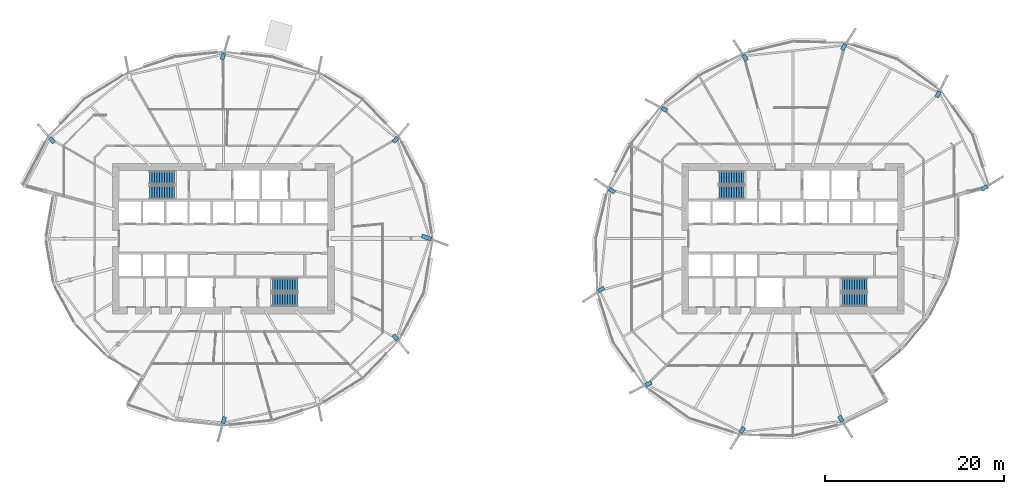
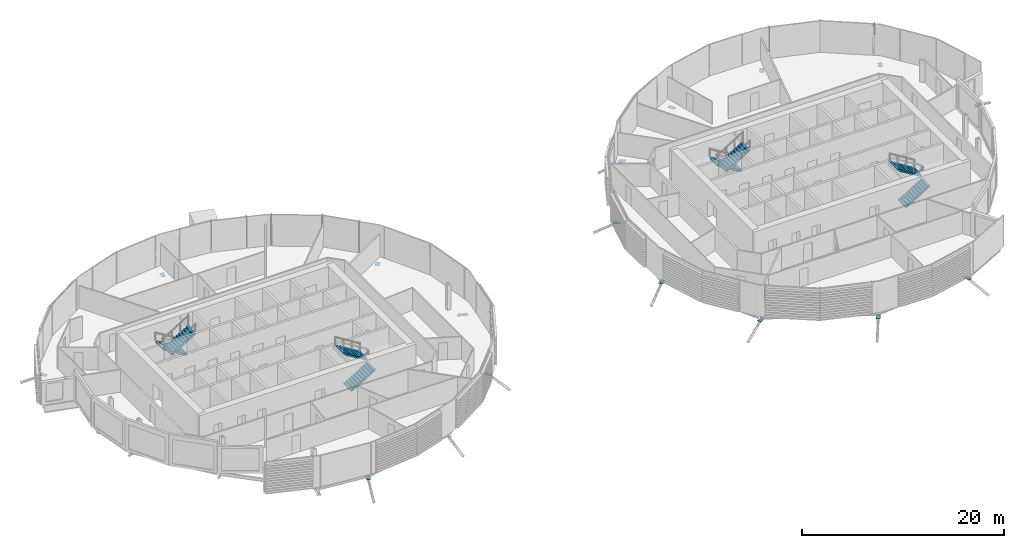
# One storey, part 27 of 38: 16 discrete accessories, 8 stair flights, 4 elements without a shape of their own.
"""IFC4 building model written with IfcOpenShell, lengths in metres."""

from ifc_helpers import new_model, si_unit, direction, frame, origin, origin_2d, place, context, subcontext, project, spatial, polyline, rectangle, outline, extrude, material, material_profile, profile_set, type_object, element, aggregate, save


model = new_model("IFC4")

# Units and contexts
model_context = context("Model", 3, precision=1e-05, world=origin(), true_north=direction((0.0, 1.0)))
body_context = subcontext(model_context, "Body", "Model", "MODEL_VIEW")
ifc_project = project(units=[si_unit("LENGTHUNIT", "METRE"), si_unit("AREAUNIT", "SQUARE_METRE"), si_unit("VOLUMEUNIT", "CUBIC_METRE"), si_unit("PLANEANGLEUNIT", "RADIAN"), si_unit("MASSUNIT", "GRAM", prefix="KILO")], contexts=[model_context])

# Site, building, storey
site_placement = place(None, origin())
site = spatial("IfcSite", under=ifc_project, at=site_placement, CompositionType="ELEMENT")
building_placement = place(site_placement, origin())
building = spatial("IfcBuilding", under=site, at=building_placement, Name="Rimbun Link Towers", CompositionType="ELEMENT")
storey_placement = place(building_placement, frame((0.0, 0.0, 108.199951171875)))
storey = spatial("IfcBuildingStorey", under=building, at=storey_placement, Name="L26", CompositionType="ELEMENT", Elevation=108.199951171875)

# Stair, stair flights
ifc_material_1 = material(Name="Concrete C40/50", Category="concrete")
stair_type = type_object("IfcStairType", Name="Exit stair 3800 rise", PredefinedType="HALF_TURN_STAIR", material=ifc_material_1)
stair_1_placement = place(storey_placement, origin())
stair_1 = element("IfcStair", 1, at=stair_1_placement, inside=storey, type_object=stair_type, Name="L26 EXIT STAIR A", PredefinedType="HALF_TURN_STAIR")
ifc_material_2 = material(Name="Concrete C40/50", Category="concrete")
stair_flight_type = type_object("IfcStairFlightType", Name="Exit stair flight 3800 rise", PredefinedType="STRAIGHT", material=ifc_material_2)
stair_flight_1_placement = place(storey_placement, frame((-37.199951171875, 6.800048828125, 0.0), z_axis=(0.0, 0.0, 1.0), x_axis=(-1.0, 0.0, 0.0)))
stair_flight_1 = element("IfcStairFlight", 2, at=stair_flight_1_placement, type_object=stair_flight_type, Name="ST1 flight 1", NumberOfRisers=11, NumberOfTreads=10, PredefinedType="STRAIGHT", RiserHeight=0.172727273, TreadLength=0.28, context=body_context, shape_type="SweptSolid", body=[
    extrude(outline(polyline([(0.0, 0.0), (0.0, 0.172607421875), (0.280029296875, 0.172607421875), (0.280029296875, 0.345458984375), (0.56005859375, 0.345458984375), (0.56005859375, 0.51806640625), (0.840087890625, 0.51806640625), (0.840087890625, 0.69091796875), (1.1201171875, 0.69091796875), (1.1201171875, 0.863525390625), (1.39990234375, 0.863525390625), (1.39990234375, 1.036376953125), (1.679931640625, 1.036376953125), (1.679931640625, 1.208984375), (1.9599609375, 1.208984375), (1.9599609375, 1.3818359375), (2.239990234375, 1.3818359375), (2.239990234375, 1.554443359375), (2.52001953125, 1.554443359375), (2.52001953125, 1.727294921875), (2.800048828125, 1.727294921875), (2.800048828125, 1.89990234375), (2.800048828125, 1.551025390625), (0.280029296875, 0.0), (0.0, 0.0)])), frame((0.0, 0.75, 0.0), z_axis=(0.0, -1.0, 0.0), x_axis=(1.0, 0.0, 0.0)), (0.0, 0.0, 1.0), 1.5),
])
stair_flight_2_placement = place(storey_placement, frame((-40.0, 5.14990234375, 1.900146484375), z_axis=(0.0, 0.0, 1.0), x_axis=(1.0, 0.0, 0.0)))
stair_flight_2 = element("IfcStairFlight", 3, at=stair_flight_2_placement, type_object=stair_flight_type, Name="ST1 flight 2", NumberOfRisers=11, NumberOfTreads=10, PredefinedType="STRAIGHT", RiserHeight=0.172727273, TreadLength=0.28, context=body_context, shape_type="SweptSolid", body=[
    extrude(outline(polyline([(0.0, 0.0), (0.0, 0.172607421875), (0.280029296875, 0.172607421875), (0.280029296875, 0.345458984375), (0.56005859375, 0.345458984375), (0.56005859375, 0.51806640625), (0.840087890625, 0.51806640625), (0.840087890625, 0.69091796875), (1.1201171875, 0.69091796875), (1.1201171875, 0.863525390625), (1.39990234375, 0.863525390625), (1.39990234375, 1.036376953125), (1.679931640625, 1.036376953125), (1.679931640625, 1.208984375), (1.9599609375, 1.208984375), (1.9599609375, 1.3818359375), (2.239990234375, 1.3818359375), (2.239990234375, 1.554443359375), (2.52001953125, 1.554443359375), (2.52001953125, 1.727294921875), (2.800048828125, 1.727294921875), (2.800048828125, 1.89990234375), (2.800048828125, 1.551025390625), (0.280029296875, 0.0), (0.0, 0.0)])), frame((0.0, 0.75, 0.0), z_axis=(0.0, -1.0, 0.0), x_axis=(1.0, 0.0, 0.0)), (0.0, 0.0, 1.0), 1.5),
])
aggregate(stair_1, [stair_flight_1, stair_flight_2])

stair_2_placement = place(storey_placement, origin())
stair_2 = element("IfcStair", 4, at=stair_2_placement, inside=storey, type_object=stair_type, Name="L26 EXIT STAIR B", PredefinedType="HALF_TURN_STAIR")
stair_flight_3_placement = place(storey_placement, frame((-26.300048828125, -6.800048828125, 0.0), z_axis=(0.0, 0.0, 1.0), x_axis=(1.0, 0.0, 0.0)))
stair_flight_3 = element("IfcStairFlight", 5, at=stair_flight_3_placement, type_object=stair_flight_type, Name="ST2 flight 1", NumberOfRisers=11, NumberOfTreads=10, PredefinedType="STRAIGHT", RiserHeight=0.172727273, TreadLength=0.28, context=body_context, shape_type="SweptSolid", body=[
    extrude(outline(polyline([(0.0, 0.0), (0.0, 0.172607421875), (0.280029296875, 0.172607421875), (0.280029296875, 0.345458984375), (0.56005859375, 0.345458984375), (0.56005859375, 0.51806640625), (0.840087890625, 0.51806640625), (0.840087890625, 0.69091796875), (1.1201171875, 0.69091796875), (1.1201171875, 0.863525390625), (1.39990234375, 0.863525390625), (1.39990234375, 1.036376953125), (1.679931640625, 1.036376953125), (1.679931640625, 1.208984375), (1.9599609375, 1.208984375), (1.9599609375, 1.3818359375), (2.239990234375, 1.3818359375), (2.239990234375, 1.554443359375), (2.52001953125, 1.554443359375), (2.52001953125, 1.727294921875), (2.800048828125, 1.727294921875), (2.800048828125, 1.89990234375), (2.800048828125, 1.551025390625), (0.280029296875, 0.0), (0.0, 0.0)])), frame((0.0, 0.75, 0.0), z_axis=(0.0, -1.0, 0.0), x_axis=(1.0, 0.0, 0.0)), (0.0, 0.0, 1.0), 1.5),
])
stair_flight_4_placement = place(storey_placement, frame((-23.5, -5.14990234375, 1.900146484375), z_axis=(0.0, 0.0, 1.0), x_axis=(-1.0, 0.0, 0.0)))
stair_flight_4 = element("IfcStairFlight", 6, at=stair_flight_4_placement, type_object=stair_flight_type, Name="ST2 flight 2", NumberOfRisers=11, NumberOfTreads=10, PredefinedType="STRAIGHT", RiserHeight=0.172727273, TreadLength=0.28, context=body_context, shape_type="SweptSolid", body=[
    extrude(outline(polyline([(0.0, 0.0), (0.0, 0.172607421875), (0.280029296875, 0.172607421875), (0.280029296875, 0.345458984375), (0.56005859375, 0.345458984375), (0.56005859375, 0.51806640625), (0.840087890625, 0.51806640625), (0.840087890625, 0.69091796875), (1.1201171875, 0.69091796875), (1.1201171875, 0.863525390625), (1.39990234375, 0.863525390625), (1.39990234375, 1.036376953125), (1.679931640625, 1.036376953125), (1.679931640625, 1.208984375), (1.9599609375, 1.208984375), (1.9599609375, 1.3818359375), (2.239990234375, 1.3818359375), (2.239990234375, 1.554443359375), (2.52001953125, 1.554443359375), (2.52001953125, 1.727294921875), (2.800048828125, 1.727294921875), (2.800048828125, 1.89990234375), (2.800048828125, 1.551025390625), (0.280029296875, 0.0), (0.0, 0.0)])), frame((0.0, 0.75, 0.0), z_axis=(0.0, -1.0, 0.0), x_axis=(1.0, 0.0, 0.0)), (0.0, 0.0, 1.0), 1.5),
])
aggregate(stair_2, [stair_flight_3, stair_flight_4])

stair_3_placement = place(storey_placement, origin())
stair_3 = element("IfcStair", 7, at=stair_3_placement, inside=storey, type_object=stair_type, Name="L26 EXIT STAIR A", PredefinedType="HALF_TURN_STAIR")
stair_flight_5_placement = place(storey_placement, frame((26.300048828125, 6.800048828125, 0.0), z_axis=(0.0, 0.0, 1.0), x_axis=(-1.0, 0.0, 0.0)))
stair_flight_5 = element("IfcStairFlight", 8, at=stair_flight_5_placement, type_object=stair_flight_type, Name="ST3 flight 1", NumberOfRisers=11, NumberOfTreads=10, PredefinedType="STRAIGHT", RiserHeight=0.172727273, TreadLength=0.28, context=body_context, shape_type="SweptSolid", body=[
    extrude(outline(polyline([(0.0, 0.0), (0.0, 0.172607421875), (0.280029296875, 0.172607421875), (0.280029296875, 0.345458984375), (0.56005859375, 0.345458984375), (0.56005859375, 0.51806640625), (0.840087890625, 0.51806640625), (0.840087890625, 0.69091796875), (1.1201171875, 0.69091796875), (1.1201171875, 0.863525390625), (1.39990234375, 0.863525390625), (1.39990234375, 1.036376953125), (1.679931640625, 1.036376953125), (1.679931640625, 1.208984375), (1.9599609375, 1.208984375), (1.9599609375, 1.3818359375), (2.239990234375, 1.3818359375), (2.239990234375, 1.554443359375), (2.52001953125, 1.554443359375), (2.52001953125, 1.727294921875), (2.800048828125, 1.727294921875), (2.800048828125, 1.89990234375), (2.800048828125, 1.551025390625), (0.280029296875, 0.0), (0.0, 0.0)])), frame((0.0, 0.75, 0.0), z_axis=(0.0, -1.0, 0.0), x_axis=(1.0, 0.0, 0.0)), (0.0, 0.0, 1.0), 1.5),
])
stair_flight_6_placement = place(storey_placement, frame((23.5, 5.14990234375, 1.900146484375), z_axis=(0.0, 0.0, 1.0), x_axis=(1.0, 0.0, 0.0)))
stair_flight_6 = element("IfcStairFlight", 9, at=stair_flight_6_placement, type_object=stair_flight_type, Name="ST3 flight 2", NumberOfRisers=11, NumberOfTreads=10, PredefinedType="STRAIGHT", RiserHeight=0.172727273, TreadLength=0.28, context=body_context, shape_type="SweptSolid", body=[
    extrude(outline(polyline([(0.0, 0.0), (0.0, 0.172607421875), (0.280029296875, 0.172607421875), (0.280029296875, 0.345458984375), (0.56005859375, 0.345458984375), (0.56005859375, 0.51806640625), (0.840087890625, 0.51806640625), (0.840087890625, 0.69091796875), (1.1201171875, 0.69091796875), (1.1201171875, 0.863525390625), (1.39990234375, 0.863525390625), (1.39990234375, 1.036376953125), (1.679931640625, 1.036376953125), (1.679931640625, 1.208984375), (1.9599609375, 1.208984375), (1.9599609375, 1.3818359375), (2.239990234375, 1.3818359375), (2.239990234375, 1.554443359375), (2.52001953125, 1.554443359375), (2.52001953125, 1.727294921875), (2.800048828125, 1.727294921875), (2.800048828125, 1.89990234375), (2.800048828125, 1.551025390625), (0.280029296875, 0.0), (0.0, 0.0)])), frame((0.0, 0.75, 0.0), z_axis=(0.0, -1.0, 0.0), x_axis=(1.0, 0.0, 0.0)), (0.0, 0.0, 1.0), 1.5),
])
aggregate(stair_3, [stair_flight_5, stair_flight_6])

stair_4_placement = place(storey_placement, origin())
stair_4 = element("IfcStair", 10, at=stair_4_placement, inside=storey, type_object=stair_type, Name="L26 EXIT STAIR B", PredefinedType="HALF_TURN_STAIR")
stair_flight_7_placement = place(storey_placement, frame((37.199951171875, -6.800048828125, 0.0), z_axis=(0.0, 0.0, 1.0), x_axis=(1.0, 0.0, 0.0)))
stair_flight_7 = element("IfcStairFlight", 11, at=stair_flight_7_placement, type_object=stair_flight_type, Name="ST4 flight 1", NumberOfRisers=11, NumberOfTreads=10, PredefinedType="STRAIGHT", RiserHeight=0.172727273, TreadLength=0.28, context=body_context, shape_type="SweptSolid", body=[
    extrude(outline(polyline([(0.0, 0.0), (0.0, 0.172607421875), (0.280029296875, 0.172607421875), (0.280029296875, 0.345458984375), (0.56005859375, 0.345458984375), (0.56005859375, 0.51806640625), (0.840087890625, 0.51806640625), (0.840087890625, 0.69091796875), (1.1201171875, 0.69091796875), (1.1201171875, 0.863525390625), (1.39990234375, 0.863525390625), (1.39990234375, 1.036376953125), (1.679931640625, 1.036376953125), (1.679931640625, 1.208984375), (1.9599609375, 1.208984375), (1.9599609375, 1.3818359375), (2.239990234375, 1.3818359375), (2.239990234375, 1.554443359375), (2.52001953125, 1.554443359375), (2.52001953125, 1.727294921875), (2.800048828125, 1.727294921875), (2.800048828125, 1.89990234375), (2.800048828125, 1.551025390625), (0.280029296875, 0.0), (0.0, 0.0)])), frame((0.0, 0.75, 0.0), z_axis=(0.0, -1.0, 0.0), x_axis=(1.0, 0.0, 0.0)), (0.0, 0.0, 1.0), 1.5),
])
stair_flight_8_placement = place(storey_placement, frame((40.0, -5.14990234375, 1.900146484375), z_axis=(0.0, 0.0, 1.0), x_axis=(-1.0, 0.0, 0.0)))
stair_flight_8 = element("IfcStairFlight", 12, at=stair_flight_8_placement, type_object=stair_flight_type, Name="ST4 flight 2", NumberOfRisers=11, NumberOfTreads=10, PredefinedType="STRAIGHT", RiserHeight=0.172727273, TreadLength=0.28, context=body_context, shape_type="SweptSolid", body=[
    extrude(outline(polyline([(0.0, 0.0), (0.0, 0.172607421875), (0.280029296875, 0.172607421875), (0.280029296875, 0.345458984375), (0.56005859375, 0.345458984375), (0.56005859375, 0.51806640625), (0.840087890625, 0.51806640625), (0.840087890625, 0.69091796875), (1.1201171875, 0.69091796875), (1.1201171875, 0.863525390625), (1.39990234375, 0.863525390625), (1.39990234375, 1.036376953125), (1.679931640625, 1.036376953125), (1.679931640625, 1.208984375), (1.9599609375, 1.208984375), (1.9599609375, 1.3818359375), (2.239990234375, 1.3818359375), (2.239990234375, 1.554443359375), (2.52001953125, 1.554443359375), (2.52001953125, 1.727294921875), (2.800048828125, 1.727294921875), (2.800048828125, 1.89990234375), (2.800048828125, 1.551025390625), (0.280029296875, 0.0), (0.0, 0.0)])), frame((0.0, 0.75, 0.0), z_axis=(0.0, -1.0, 0.0), x_axis=(1.0, 0.0, 0.0)), (0.0, 0.0, 1.0), 1.5),
])
aggregate(stair_4, [stair_flight_7, stair_flight_8])

# Discrete accessories
ifc_material_3 = material(Name="Steel S355J2H", Category="steel")
ifc_material_profile = material_profile(ifc_material_3, rectangle(XDim=0.43310546875, YDim=0.43310546875, at=origin_2d()), Name="PL 433x433")
ifc_profile_set = profile_set([ifc_material_profile], Name="Steel S355J2H")
discrete_accessory_type = type_object("IfcDiscreteAccessoryType", Name="Link head end plate 433X20", PredefinedType="BRACKET", material=ifc_profile_set)
discrete_accessory_1_placement = place(storey_placement, frame((0.0, 0.0, -1.3798828125)))
element("IfcDiscreteAccessory", 13, at=discrete_accessory_1_placement, inside=storey, type_object=discrete_accessory_type, Name="Link head end plate T1 L26 00", PredefinedType="BRACKET", context=body_context, shape_type="SweptSolid", body=[
    extrude(outline(polyline([(-9.705078125, 0.11376953125), (-8.671630859375, -0.267333984375), (-8.521728515625, 0.138916015625), (-9.555419921875, 0.52001953125), (-9.705078125, 0.11376953125)])), origin(), (0.0, 0.0, 1.0), 0.02001953125),
])
discrete_accessory_2_placement = place(storey_placement, frame((0.0, 0.0, -0.63330078125)))
element("IfcDiscreteAccessory", 14, at=discrete_accessory_2_placement, inside=storey, type_object=discrete_accessory_type, Name="Link head end plate T1 L26 02", PredefinedType="BRACKET", context=body_context, shape_type="SweptSolid", body=[
    extrude(outline(polyline([(-12.6240234375, 10.597900390625), (-12.180908203125, 11.139404296875), (-12.51611328125, 11.41357421875), (-12.958984375, 10.8720703125), (-12.6240234375, 10.597900390625)])), origin(), (0.0, 0.0, 1.0), 0.02001953125),
])
discrete_accessory_3_placement = place(storey_placement, frame((0.0, 0.0, -0.863525390625)))
element("IfcDiscreteAccessory", 15, at=discrete_accessory_3_placement, inside=storey, type_object=discrete_accessory_type, Name="Link head end plate T1 L26 06", PredefinedType="BRACKET", context=body_context, shape_type="SweptSolid", body=[
    extrude(outline(polyline([(-31.694580078125, 19.913818359375), (-31.490234375, 20.600341796875), (-31.9052734375, 20.72412109375), (-32.109619140625, 20.03759765625), (-31.694580078125, 19.913818359375)])), origin(), (0.0, 0.0, 1.0), 0.02001953125),
])
discrete_accessory_4_placement = place(storey_placement, frame((0.0, 0.0, -0.63330078125)))
element("IfcDiscreteAccessory", 16, at=discrete_accessory_4_placement, inside=storey, type_object=discrete_accessory_type, Name="Link head end plate T1 L26 10", PredefinedType="BRACKET", context=body_context, shape_type="SweptSolid", body=[
    extrude(outline(polyline([(-50.463623046875, 10.85498046875), (-50.915771484375, 11.37060546875), (-51.2412109375, 11.085205078125), (-50.789306640625, 10.5693359375), (-50.463623046875, 10.85498046875)])), origin(), (0.0, 0.0, 1.0), 0.02001953125),
])
discrete_accessory_5_placement = place(storey_placement, frame((0.0, 0.0, -0.863525390625)))
element("IfcDiscreteAccessory", 17, at=discrete_accessory_5_placement, inside=storey, type_object=discrete_accessory_type, Name="Link head end plate T1 L26 18", PredefinedType="BRACKET", context=body_context, shape_type="SweptSolid", body=[
    extrude(outline(polyline([(-31.806640625, -19.809326171875), (-32.008544921875, -20.51171875), (-31.59228515625, -20.63134765625), (-31.390380859375, -19.928955078125), (-31.806640625, -19.809326171875)])), origin(), (0.0, 0.0, 1.0), 0.02001953125),
])
discrete_accessory_6_placement = place(storey_placement, frame((0.0, 0.0, -0.63330078125)))
element("IfcDiscreteAccessory", 18, at=discrete_accessory_6_placement, inside=storey, type_object=discrete_accessory_type, Name="Link head end plate T1 L26 22", PredefinedType="BRACKET", context=body_context, shape_type="SweptSolid", body=[
    extrude(outline(polyline([(-12.958984375, -10.8720703125), (-12.51611328125, -11.41357421875), (-12.180908203125, -11.139404296875), (-12.6240234375, -10.597900390625), (-12.958984375, -10.8720703125)])), origin(), (0.0, 0.0, 1.0), 0.02001953125),
])
discrete_accessory_7_placement = place(storey_placement, frame((0.0, 0.0, -0.782470703125)))
element("IfcDiscreteAccessory", 19, at=discrete_accessory_7_placement, inside=storey, type_object=discrete_accessory_type, Name="Link head end plate T2 L26 00", PredefinedType="BRACKET", context=body_context, shape_type="SweptSolid", body=[
    extrude(outline(polyline([(47.966064453125, 15.689697265625), (48.274169921875, 16.318603515625), (47.885009765625, 16.509033203125), (47.5771484375, 15.8798828125), (47.966064453125, 15.689697265625)])), origin(), (0.0, 0.0, 1.0), 0.02001953125),
])
discrete_accessory_8_placement = place(storey_placement, frame((0.0, 0.0, -0.942138671875)))
element("IfcDiscreteAccessory", 20, at=discrete_accessory_8_placement, inside=storey, type_object=discrete_accessory_type, Name="Link head end plate T2 L26 02", PredefinedType="BRACKET", context=body_context, shape_type="SweptSolid", body=[
    extrude(outline(polyline([(37.39990234375, 20.92431640625), (37.7939453125, 21.548095703125), (37.427978515625, 21.779296875), (37.03369140625, 21.15576171875), (37.39990234375, 20.92431640625)])), origin(), (0.0, 0.0, 1.0), 0.02001953125),
])
discrete_accessory_9_placement = place(storey_placement, frame((0.0, 0.0, -0.863525390625)))
element("IfcDiscreteAccessory", 21, at=discrete_accessory_9_placement, inside=storey, type_object=discrete_accessory_type, Name="Link head end plate T2 L26 04", PredefinedType="BRACKET", context=body_context, shape_type="SweptSolid", body=[
    extrude(outline(polyline([(26.79248046875, 19.968017578125), (26.387939453125, 20.58544921875), (26.025634765625, 20.34814453125), (26.430419921875, 19.730712890625), (26.79248046875, 19.968017578125)])), origin(), (0.0, 0.0, 1.0), 0.02001953125),
])
discrete_accessory_10_placement = place(storey_placement, frame((0.0, 0.0, -0.713134765625)))
element("IfcDiscreteAccessory", 22, at=discrete_accessory_10_placement, inside=storey, type_object=discrete_accessory_type, Name="Link head end plate T2 L26 06", PredefinedType="BRACKET", context=body_context, shape_type="SweptSolid", body=[
    extrude(outline(polyline([(17.81787109375, 14.441650390625), (17.20068359375, 14.76318359375), (17.00048828125, 14.37939453125), (17.61767578125, 14.0576171875), (17.81787109375, 14.441650390625)])), origin(), (0.0, 0.0, 1.0), 0.02001953125),
])
discrete_accessory_11_placement = place(storey_placement, frame((0.0, 0.0, -0.63330078125)))
element("IfcDiscreteAccessory", 23, at=discrete_accessory_11_placement, inside=storey, type_object=discrete_accessory_type, Name="Link head end plate T2 L26 08", PredefinedType="BRACKET", context=body_context, shape_type="SweptSolid", body=[
    extrude(outline(polyline([(11.986572265625, 5.325927734375), (11.40771484375, 5.7255859375), (11.16162109375, 5.369384765625), (11.740478515625, 4.969482421875), (11.986572265625, 5.325927734375)])), origin(), (0.0, 0.0, 1.0), 0.02001953125),
])
discrete_accessory_12_placement = place(storey_placement, frame((0.0, 0.0, -0.713134765625)))
element("IfcDiscreteAccessory", 24, at=discrete_accessory_12_placement, inside=storey, type_object=discrete_accessory_type, Name="Link head end plate T2 L26 10", PredefinedType="BRACKET", context=body_context, shape_type="SweptSolid", body=[
    extrude(outline(polyline([(10.55517578125, -5.293701171875), (9.9677734375, -5.68505859375), (10.2080078125, -6.04541015625), (10.795166015625, -5.65380859375), (10.55517578125, -5.293701171875)])), origin(), (0.0, 0.0, 1.0), 0.02001953125),
])
discrete_accessory_13_placement = place(storey_placement, frame((0.0, 0.0, -0.782470703125)))
element("IfcDiscreteAccessory", 25, at=discrete_accessory_13_placement, inside=storey, type_object=discrete_accessory_type, Name="Link head end plate T2 L26 12", PredefinedType="BRACKET", context=body_context, shape_type="SweptSolid", body=[
    extrude(outline(polyline([(15.8701171875, -15.8271484375), (15.240966796875, -16.135009765625), (15.431396484375, -16.524169921875), (16.060302734375, -16.216064453125), (15.8701171875, -15.8271484375)])), origin(), (0.0, 0.0, 1.0), 0.02001953125),
])
discrete_accessory_14_placement = place(storey_placement, frame((0.0, 0.0, -0.942138671875)))
element("IfcDiscreteAccessory", 26, at=discrete_accessory_14_placement, inside=storey, type_object=discrete_accessory_type, Name="Link head end plate T2 L26 14", PredefinedType="BRACKET", context=body_context, shape_type="SweptSolid", body=[
    extrude(outline(polyline([(26.10009765625, -20.92431640625), (25.7060546875, -21.548095703125), (26.072021484375, -21.779296875), (26.46630859375, -21.15576171875), (26.10009765625, -20.92431640625)])), origin(), (0.0, 0.0, 1.0), 0.02001953125),
])
discrete_accessory_15_placement = place(storey_placement, frame((0.0, 0.0, -0.863525390625)))
element("IfcDiscreteAccessory", 27, at=discrete_accessory_15_placement, inside=storey, type_object=discrete_accessory_type, Name="Link head end plate T2 L26 16", PredefinedType="BRACKET", context=body_context, shape_type="SweptSolid", body=[
    extrude(outline(polyline([(36.704345703125, -19.879150390625), (37.080078125, -20.494384765625), (37.449462890625, -20.268798828125), (37.07373046875, -19.653564453125), (36.704345703125, -19.879150390625)])), origin(), (0.0, 0.0, 1.0), 0.02001953125),
])
discrete_accessory_16_placement = place(storey_placement, frame((0.0, 0.0, -1.098388671875)))
element("IfcDiscreteAccessory", 28, at=discrete_accessory_16_placement, inside=storey, type_object=discrete_accessory_type, Name="Link head end plate T2 L26 22", PredefinedType="BRACKET", context=body_context, shape_type="SweptSolid", body=[
    extrude(outline(polyline([(52.87548828125, 5.2763671875), (53.52734375, 5.673095703125), (53.30224609375, 6.04296875), (52.650390625, 5.646240234375), (52.87548828125, 5.2763671875)])), origin(), (0.0, 0.0, 1.0), 0.02001953125),
])

save(model, "model.ifc")
